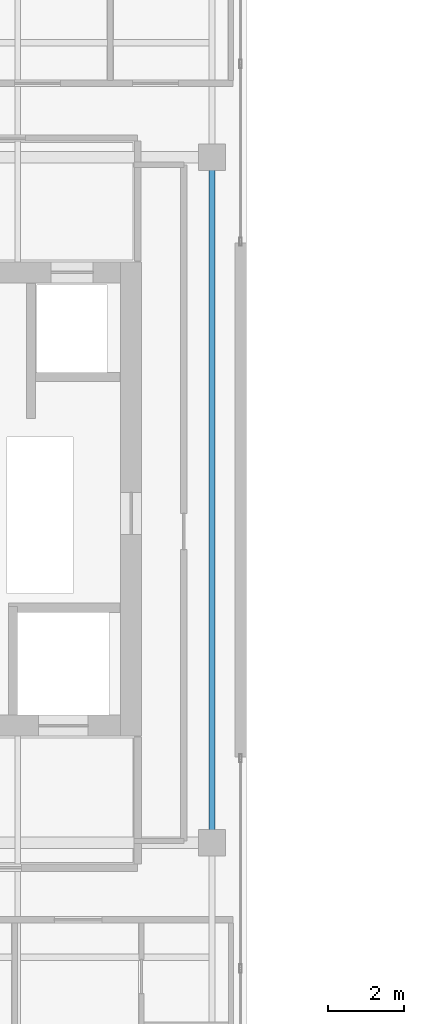
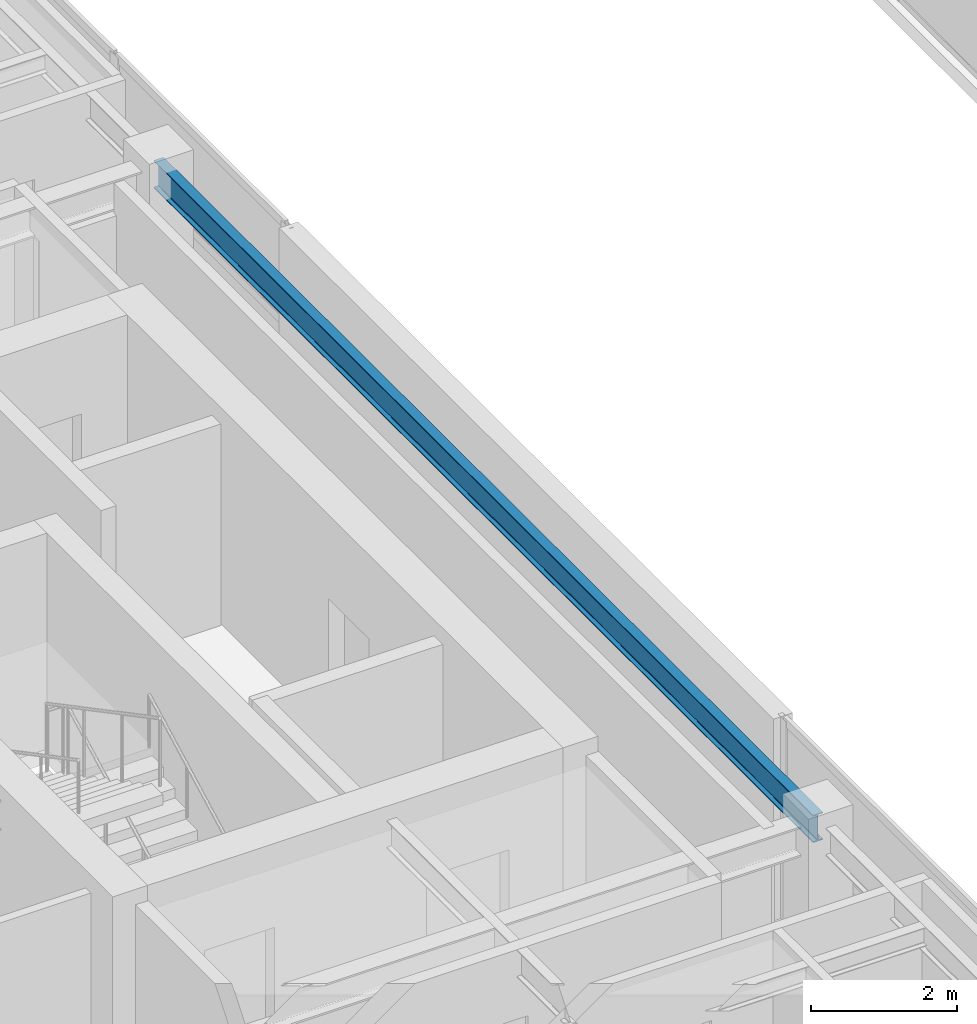
# One storey, part 7 of 24: 1 beam.
"""IFC4 building model written with IfcOpenShell, lengths in metres."""

from ifc_helpers import new_model, si_unit, direction, frame, origin, origin_2d, place, context, subcontext, project, spatial, i_section, extrude, source, transform, mapped, material, material_profile, profile_set, type_object, element, save


model = new_model("IFC4")

# Units and contexts
model_context = context("Model", 3, precision=1e-05, world=origin(), true_north=direction((0.0, 1.0)))
body_context = subcontext(model_context, "Body", "Model", "MODEL_VIEW")
ifc_project = project(units=[si_unit("LENGTHUNIT", "METRE"), si_unit("AREAUNIT", "SQUARE_METRE"), si_unit("VOLUMEUNIT", "CUBIC_METRE"), si_unit("PLANEANGLEUNIT", "RADIAN"), si_unit("MASSUNIT", "GRAM", prefix="KILO")], contexts=[model_context])

# Site, building, storey
site_placement = place(None, origin())
site = spatial("IfcSite", under=ifc_project, at=site_placement, CompositionType="ELEMENT")
building_placement = place(site_placement, origin())
building = spatial("IfcBuilding", under=site, at=building_placement, Name="Khoralis Quay Care Tower", CompositionType="ELEMENT")
storey_placement = place(building_placement, frame((0.0, 0.0, 231.300048828125)))
storey = spatial("IfcBuildingStorey", under=building, at=storey_placement, Name="L60", CompositionType="ELEMENT", Elevation=231.300048828125)

# Beam
ifc_material = material(Name="Steel S355", Category="steel")
ifc_material_profile = material_profile(ifc_material, i_section(OverallWidth=0.154052734375, OverallDepth=0.458984375, WebThickness=0.009033203125, FlangeThickness=0.015380859375, FilletRadius=0.014892578125, at=origin_2d()), Name="Steel S355")
ifc_profile_set = profile_set([ifc_material_profile], Name="Steel S355")
beam_type = type_object("IfcBeamType", Name="BM-W460X68", PredefinedType="BEAM", material=ifc_profile_set)
shared_shape = source(origin(), body_context, "Body", "SweptSolid", [
    extrude(i_section(OverallWidth=0.154052734375, OverallDepth=0.458984375, WebThickness=0.009033203125, FlangeThickness=0.015380859375, FilletRadius=0.014892578125, at=origin_2d()), origin(), (0.0, 0.0, 1.0), 18.0),
])
beam_placement = place(storey_placement, frame((17.10009765625, 12.0, 3.13037109375), z_axis=(0.0, 1.0, 0.0), x_axis=(-1.0, 0.0, 0.0)))
element("IfcBeam", 1, at=beam_placement, inside=storey, type_object=beam_type, Name="BM-TGSW-L60", PredefinedType="BEAM", context=body_context, shape_type="MappedRepresentation", body=[
    mapped(shared_shape, transform((0.0, 0.0, 0.0), scale=1.0)),
])

save(model, "model.ifc")
